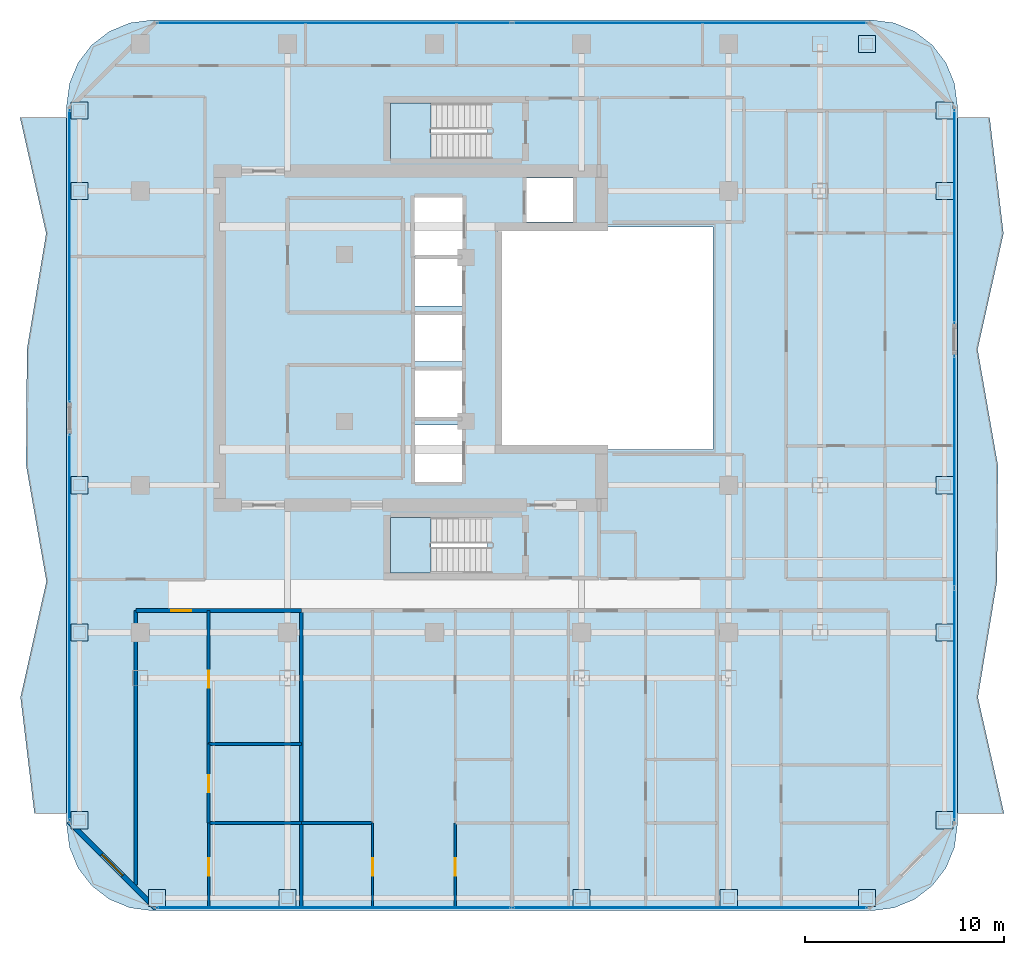
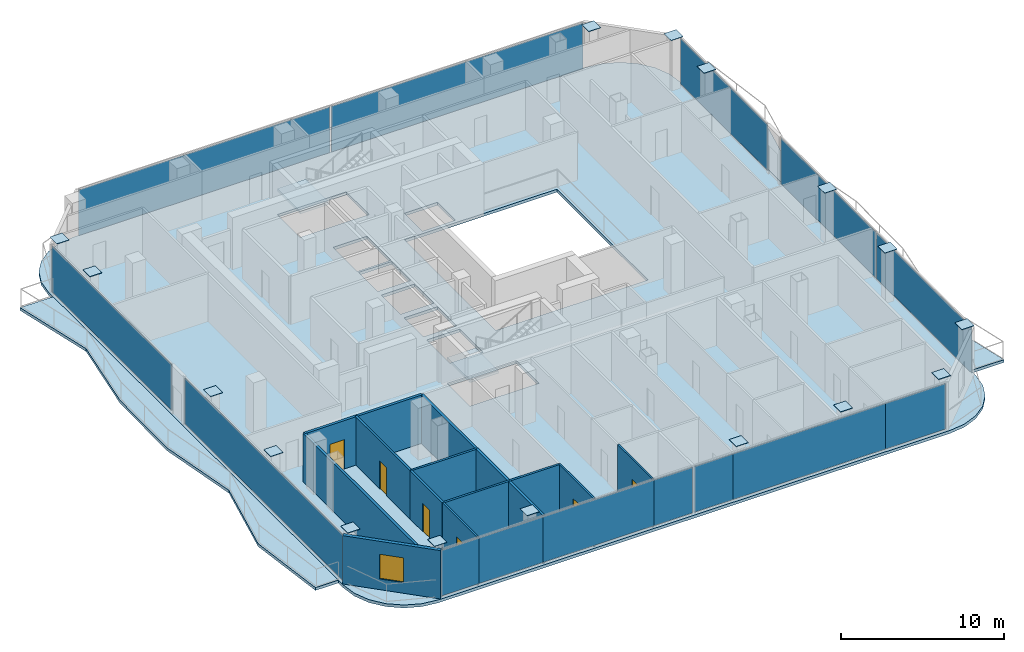
# One storey, part 19 of 26: 30 plates, 12 walls, 6 doors, 5 slabs, 1 window, 7 openings, 8 elements without a shape of their own.
"""IFC4 building model written with IfcOpenShell, lengths in metres."""

from ifc_helpers import new_model, si_unit, direction, frame, frame_2d, origin, origin_2d, place, context, subcontext, project, spatial, polyline, rectangle, outline, extrude, material, layer, layer_set, type_object, element, fill, aggregate, save


model = new_model("IFC4")

# Units and contexts
model_context = context("Model", 3, precision=1e-05, world=origin(), true_north=direction((0.0, 1.0)))
body_context = subcontext(model_context, "Body", "Model", "MODEL_VIEW")
ifc_project = project(units=[si_unit("LENGTHUNIT", "METRE"), si_unit("AREAUNIT", "SQUARE_METRE"), si_unit("VOLUMEUNIT", "CUBIC_METRE"), si_unit("PLANEANGLEUNIT", "RADIAN"), si_unit("MASSUNIT", "GRAM", prefix="KILO")], contexts=[model_context])

# Site, building, storey
site_placement = place(None, origin())
site = spatial("IfcSite", under=ifc_project, at=site_placement, CompositionType="ELEMENT")
building_placement = place(site_placement, origin())
building = spatial("IfcBuilding", under=site, at=building_placement, Name="Khorvyn Point Tower", CompositionType="ELEMENT")
storey_placement = place(building_placement, frame((0.0, 0.0, 250.800048828125)))
storey = spatial("IfcBuildingStorey", under=building, at=storey_placement, Name="L61", CompositionType="ELEMENT", Elevation=250.800048828125)

# Slabs
ifc_material_1 = material(Name="Concrete C35/45", Category="concrete")
ifc_layer_1 = layer(ifc_material_1, 0.219970703125)
ifc_layer_set_1 = layer_set([ifc_layer_1], Name="Concrete C35/45 Structural Floor Slab 220")
slab_type_1 = type_object("IfcSlabType", Name="Concrete C35/45 Structural Floor Slab 220", PredefinedType="FLOOR", material=ifc_layer_set_1)
slab_1_placement = place(storey_placement, frame((0.0, 0.0, -0.219970703125)))
element("IfcSlab", 1, at=slab_1_placement, inside=storey, type_object=slab_type_1, Name="L61 Main Structural Floor Slab", PredefinedType="FLOOR", context=body_context, shape_type="SweptSolid", body=[
    extrude(outline(polyline([(-14.199951171875, -28.800048828125), (-15.31298828125, -28.653564453125), (-16.35009765625, -28.223876953125), (-17.240478515625, -27.54052734375), (-17.923828125, -26.64990234375), (-18.353515625, -25.61279296875), (-18.5, -24.5), (-18.5, 11.699951171875), (-18.353515625, 12.81298828125), (-17.923828125, 13.85009765625), (-17.240478515625, 14.740478515625), (-16.35009765625, 15.423828125), (-15.31298828125, 15.853515625), (-14.199951171875, 16.0), (22.0, 16.0), (23.11279296875, 15.853515625), (24.14990234375, 15.423828125), (25.04052734375, 14.740478515625), (25.723876953125, 13.85009765625), (26.153564453125, 12.81298828125), (26.300048828125, 11.699951171875), (26.300048828125, -24.5), (26.153564453125, -25.61279296875), (25.723876953125, -26.64990234375), (25.04052734375, -27.54052734375), (24.14990234375, -28.223876953125), (23.11279296875, -28.653564453125), (22.0, -28.800048828125), (-14.199951171875, -28.800048828125)]), holes=[polyline([(2.679931640625, -11.820068359375), (2.679931640625, -9.02001953125), (-2.199951171875, -9.02001953125), (-2.199951171875, -11.820068359375), (2.679931640625, -11.820068359375)]), polyline([(1.375, -7.22509765625), (1.375, -4.375), (-0.97509765625, -4.375), (-0.97509765625, -7.22509765625), (1.375, -7.22509765625)]), polyline([(1.375, -3.97509765625), (1.375, -1.625), (-0.97509765625, -1.625), (-0.97509765625, -3.97509765625), (1.375, -3.97509765625)]), polyline([(1.375, -1.175048828125), (1.375, 1.175048828125), (-0.97509765625, 1.175048828125), (-0.97509765625, -1.175048828125), (1.375, -1.175048828125)]), polyline([(14.0, -5.60009765625), (14.0, 5.60009765625), (3.199951171875, 5.60009765625), (3.199951171875, -5.60009765625), (14.0, -5.60009765625)]), polyline([(1.375, 1.625), (1.375, 3.97509765625), (-0.97509765625, 3.97509765625), (-0.97509765625, 1.625), (1.375, 1.625)]), polyline([(1.39990234375, 4.125), (1.39990234375, 7.074951171875), (-1.0, 7.074951171875), (-1.0, 4.125), (1.39990234375, 4.125)]), polyline([(4.625, 5.85009765625), (6.97509765625, 5.85009765625), (6.97509765625, 8.054931640625), (4.625, 8.054931640625), (4.625, 5.85009765625)]), polyline([(-2.199951171875, 9.02001953125), (2.679931640625, 9.02001953125), (2.679931640625, 11.820068359375), (-2.199951171875, 11.820068359375), (-2.199951171875, 9.02001953125)])]), origin(), (0.0, 0.0, 1.0), 0.219970703125),
])
ifc_material_2 = material(Name="Concrete C40/50", Category="concrete")
ifc_layer_2 = layer(ifc_material_2, 0.2099609375)
ifc_layer_set_2 = layer_set([ifc_layer_2], Name="Concrete C40/50 Rippling Balcony Slab 210")
slab_type_2 = type_object("IfcSlabType", Name="Concrete C40/50 Rippling Balcony Slab 210", PredefinedType="USERDEFINED", material=ifc_layer_set_2)
slab_2_placement = place(storey_placement, frame((0.0, 0.0, -0.2099609375)))
element("IfcSlab", 2, at=slab_2_placement, inside=storey, type_object=slab_type_2, Name="L61 East Sinusoidal Rippling Balcony", ObjectType="BALCONY", PredefinedType="USERDEFINED", context=body_context, shape_type="SweptSolid", body=[
    extrude(outline(polyline([(26.300048828125, -23.89990234375), (28.6455078125, -23.89990234375), (27.3310546875, -18.066650390625), (28.294921875, -12.2333984375), (28.338134765625, -6.39990234375), (27.317138671875, -0.566650390625), (28.620361328125, 5.2666015625), (27.9228515625, 11.10009765625), (26.300048828125, 11.10009765625), (26.300048828125, -23.89990234375)])), origin(), (0.0, 0.0, 1.0), 0.2099609375),
])
slab_3_placement = place(storey_placement, frame((0.0, 0.0, -0.2099609375)))
element("IfcSlab", 3, at=slab_3_placement, inside=storey, type_object=slab_type_2, Name="L61 West Sinusoidal Rippling Balcony", ObjectType="BALCONY", PredefinedType="USERDEFINED", context=body_context, shape_type="SweptSolid", body=[
    extrude(outline(polyline([(-18.5, 11.10009765625), (-20.845458984375, 11.10009765625), (-19.531005859375, 5.2666015625), (-20.494873046875, -0.566650390625), (-20.5380859375, -6.39990234375), (-19.51708984375, -12.2333984375), (-20.8203125, -18.066650390625), (-20.122802734375, -23.89990234375), (-18.5, -23.89990234375), (-18.5, 11.10009765625)])), origin(), (0.0, 0.0, 1.0), 0.2099609375),
])

# Stair, slab
stair_type = type_object("IfcStairType", Name="Tower Concrete C40/50 Dogleg Exit Stair", PredefinedType="HALF_TURN_STAIR", material=ifc_material_2)
stair_1_placement = place(storey_placement, origin())
stair_1 = element("IfcStair", 4, at=stair_1_placement, inside=storey, type_object=stair_type, Name="L61 Tower Smokeproof Exit Stair South", PredefinedType="HALF_TURN_STAIR")
ifc_layer_3 = layer(ifc_material_2, 0.199951171875)
ifc_layer_set_3 = layer_set([ifc_layer_3], Name="Concrete C40/50 Stair Landing Slab 200")
slab_type_3 = type_object("IfcSlabType", Name="Concrete C40/50 Stair Landing Slab 200", PredefinedType="LANDING", material=ifc_layer_set_3)
slab_4_placement = place(storey_placement, frame((0.0, 0.0, 1.75)))
slab_4 = element("IfcSlab", 5, at=slab_4_placement, type_object=slab_type_3, Name="ST-01 landing 1", PredefinedType="LANDING", context=body_context, shape_type="SweptSolid", body=[
    extrude(outline(polyline([(-0.179931640625, -9.02001953125), (-2.199951171875, -9.02001953125), (-2.199951171875, -11.820068359375), (-0.179931640625, -11.820068359375), (-0.179931640625, -9.02001953125)])), origin(), (0.0, 0.0, 1.0), 0.199951171875),
])
aggregate(stair_1, [slab_4])

stair_2_placement = place(storey_placement, origin())
stair_2 = element("IfcStair", 6, at=stair_2_placement, inside=storey, type_object=stair_type, Name="L61 Tower Smokeproof Exit Stair North", PredefinedType="HALF_TURN_STAIR")
slab_5_placement = place(storey_placement, frame((0.0, 0.0, 1.75)))
slab_5 = element("IfcSlab", 7, at=slab_5_placement, type_object=slab_type_3, Name="ST-02 landing 1", PredefinedType="LANDING", context=body_context, shape_type="SweptSolid", body=[
    extrude(outline(polyline([(-0.179931640625, 11.820068359375), (-2.199951171875, 11.820068359375), (-2.199951171875, 9.02001953125), (-0.179931640625, 9.02001953125), (-0.179931640625, 11.820068359375)])), origin(), (0.0, 0.0, 1.0), 0.199951171875),
])
aggregate(stair_2, [slab_5])

# Plates
ifc_material_3 = material(Name="Steel S450", Category="steel")
ifc_layer_4 = layer(ifc_material_3, 0.031982421875)
ifc_layer_set_4 = layer_set([ifc_layer_4], Name="Steel S450 Exoskeleton End Cap Plate 32")
plate_type_1 = type_object("IfcPlateType", Name="Steel S450 Exoskeleton End Cap Plate 32", PredefinedType="USERDEFINED", material=ifc_layer_set_4)
for number, where, z_axis, x_axis, name in (
    (8, (-13.949951171875, -28.14990234375, 3.89404296875), (0.0, 0.0, 1.0), (1.0, 0.0, 0.0), "Plate"),
    (9, (21.75, -28.14990234375, 3.89404296875), (0.0, 0.0, 1.0), (1.0, 0.0, 0.0), "Plate"),
    (10, (21.75, 14.800048828125, 3.89404296875), (0.0, 0.0, 1.0), (1.0, 0.0, 0.0), "Plate"),
    (11, (-17.85009765625, -24.25, 3.89404296875), (0.0, 0.0, 1.0), (1.0, 0.0, 0.0), "Plate"),
    (12, (-17.85009765625, 11.449951171875, 3.89404296875), (0.0, 0.0, 1.0), (1.0, 0.0, 0.0), "Plate"),
    (13, (25.64990234375, -24.25, 3.89404296875), (0.0, 0.0, 1.0), (1.0, 0.0, 0.0), "Plate"),
    (14, (25.64990234375, 11.449951171875, 3.89404296875), (0.0, 0.0, 1.0), (1.0, 0.0, 0.0), "Plate"),
    (15, (-7.39990234375, -28.14990234375, 3.89404296875), (0.0, 0.0, 1.0), (1.0, 0.0, 0.0), "Plate"),
    (16, (7.39990234375, -28.14990234375, 3.89404296875), (0.0, 0.0, 1.0), (1.0, 0.0, 0.0), "Plate"),
    (17, (14.800048828125, -28.14990234375, 3.89404296875), (0.0, 0.0, 1.0), (1.0, 0.0, 0.0), "Plate"),
    (18, (-17.85009765625, -14.800048828125, 3.89404296875), (0.0, 0.0, 1.0), (1.0, 0.0, 0.0), "Plate"),
    (19, (25.64990234375, -14.800048828125, 3.89404296875), (0.0, 0.0, 1.0), (1.0, 0.0, 0.0), "Plate"),
    (20, (-17.85009765625, -7.39990234375, 3.89404296875), (0.0, 0.0, 1.0), (1.0, 0.0, 0.0), "Plate"),
    (21, (25.64990234375, -7.39990234375, 3.89404296875), (0.0, 0.0, 1.0), (1.0, 0.0, 0.0), "Plate"),
    (22, (-17.85009765625, 7.39990234375, 3.89404296875), (0.0, 0.0, 1.0), (1.0, 0.0, 0.0), "Plate"),
    (23, (25.64990234375, 7.39990234375, 3.89404296875), (0.0, 0.0, 1.0), (1.0, 0.0, 0.0), "Plate"),
):
    element("IfcPlate", number, at=place(storey_placement, frame(where, z_axis=z_axis, x_axis=x_axis)), inside=storey, type_object=plate_type_1, Name=name, ObjectType="GUSSET", PredefinedType="USERDEFINED", context=body_context, shape_type="SweptSolid", body=[
        extrude(rectangle(XDim=0.860107421875, YDim=0.860107421875, at=origin_2d()), origin(), (0.0, 0.0, 1.0), 0.031982421875),
    ])

# Curtain wall, plates
ifc_material_4 = material(Name="Anodised aluminium 6063-T6 and laminated Low-E glass", Category="aluminium")
ifc_layer_5 = layer(ifc_material_4, 0.18994140625)
ifc_layer_set_5 = layer_set([ifc_layer_5], Name="Stick-Built Acoustic Curtain Wall CW-SYS-03")
curtain_wall_type = type_object("IfcCurtainWallType", Name="Stick-Built Acoustic Curtain Wall CW-SYS-03", PredefinedType="NOTDEFINED", material=ifc_layer_set_5)
curtain_wall_1_placement = place(storey_placement, origin())
curtain_wall_1 = element("IfcCurtainWall", 24, at=curtain_wall_1_placement, inside=storey, type_object=curtain_wall_type, Name="Curtain Wall", PredefinedType="NOTDEFINED")
ifc_material_5 = material(Name="Laminated Low-E insulated glass", Category="glass")
ifc_layer_6 = layer(ifc_material_5, 0.028076171875)
ifc_layer_set_6 = layer_set([ifc_layer_6], Name="Tempered Low-E Vision Glazing Panel CW-GL28")
plate_type_2 = type_object("IfcPlateType", Name="Tempered Low-E Vision Glazing Panel CW-GL28", PredefinedType="CURTAIN_PANEL", material=ifc_layer_set_6)
plate_1_placement = place(storey_placement, frame((5.320068359375, -28.64990234375, 0.10009765625), z_axis=(0.0, 0.0, 1.0), x_axis=(-1.0, 0.0, 0.0)))
plate_1 = element("IfcPlate", 25, at=plate_1_placement, type_object=plate_type_2, Name="Panel", PredefinedType="CURTAIN_PANEL", context=body_context, shape_type="SweptSolid", body=[
    extrude(rectangle(XDim=2.73193359375, YDim=0.028076171875, at=origin_2d()), origin(), (0.0, 0.0, 1.0), 3.419921875),
])
plate_2_placement = place(storey_placement, frame((12.094482421875, -28.64990234375, 0.10009765625), z_axis=(0.0, 0.0, 1.0), x_axis=(-1.0, 0.0, 0.0)))
plate_2 = element("IfcPlate", 26, at=plate_2_placement, type_object=plate_type_2, Name="Panel", PredefinedType="CURTAIN_PANEL", context=body_context, shape_type="SweptSolid", body=[
    extrude(rectangle(XDim=10.801025390625, YDim=0.028076171875, at=origin_2d()), origin(), (0.0, 0.0, 1.0), 3.419921875),
])
plate_3_placement = place(storey_placement, frame((19.62451171875, -28.64990234375, 0.10009765625), z_axis=(0.0, 0.0, 1.0), x_axis=(-1.0, 0.0, 0.0)))
plate_3 = element("IfcPlate", 27, at=plate_3_placement, type_object=plate_type_2, Name="Panel", PredefinedType="CURTAIN_PANEL", context=body_context, shape_type="SweptSolid", body=[
    extrude(rectangle(XDim=4.242919921875, YDim=0.028076171875, at=origin_2d()), origin(), (0.0, 0.0, 1.0), 3.419921875),
])
plate_4_placement = place(storey_placement, frame((-12.62353515625, -28.64990234375, 0.10009765625), z_axis=(0.0, 0.0, 1.0), x_axis=(-1.0, 0.0, 0.0)))
plate_4 = element("IfcPlate", 28, at=plate_4_placement, type_object=plate_type_2, Name="Panel", PredefinedType="CURTAIN_PANEL", context=body_context, shape_type="SweptSolid", body=[
    extrude(rectangle(XDim=2.64501953125, YDim=0.028076171875, at=origin_2d()), origin(), (0.0, 0.0, 1.0), 3.419921875),
])
plate_5_placement = place(storey_placement, frame((-9.02587890625, -28.64990234375, 0.10009765625), z_axis=(0.0, 0.0, 1.0), x_axis=(-1.0, 0.0, 0.0)))
plate_5 = element("IfcPlate", 29, at=plate_5_placement, type_object=plate_type_2, Name="Panel", PredefinedType="CURTAIN_PANEL", context=body_context, shape_type="SweptSolid", body=[
    extrude(rectangle(XDim=4.533935546875, YDim=0.028076171875, at=origin_2d()), origin(), (0.0, 0.0, 1.0), 3.419921875),
])
plate_6_placement = place(storey_placement, frame((-2.822509765625, -28.64990234375, 0.10009765625), z_axis=(0.0, 0.0, 1.0), x_axis=(-1.0, 0.0, 0.0)))
plate_6 = element("IfcPlate", 30, at=plate_6_placement, type_object=plate_type_2, Name="Panel", PredefinedType="CURTAIN_PANEL", context=body_context, shape_type="SweptSolid", body=[
    extrude(rectangle(XDim=7.85693359375, YDim=0.028076171875, at=origin_2d()), origin(), (0.0, 0.0, 1.0), 3.419921875),
])
plate_7_placement = place(storey_placement, frame((2.47998046875, -28.64990234375, 0.10009765625), z_axis=(0.0, 0.0, 1.0), x_axis=(-1.0, 0.0, 0.0)))
plate_7 = element("IfcPlate", 31, at=plate_7_placement, type_object=plate_type_2, Name="Panel", PredefinedType="CURTAIN_PANEL", context=body_context, shape_type="SweptSolid", body=[
    extrude(rectangle(XDim=2.73193359375, YDim=0.028076171875, at=origin_2d()), origin(), (0.0, 0.0, 1.0), 3.419921875),
])
aggregate(curtain_wall_1, [plate_1, plate_2, plate_3, plate_4, plate_5, plate_6, plate_7])

curtain_wall_2_placement = place(storey_placement, origin())
curtain_wall_2 = element("IfcCurtainWall", 32, at=curtain_wall_2_placement, inside=storey, type_object=curtain_wall_type, Name="Curtain Wall", PredefinedType="NOTDEFINED")
plate_8_placement = place(storey_placement, frame((-5.050048828125, 15.85009765625, 0.10009765625), z_axis=(0.0, 0.0, 1.0), x_axis=(1.0, 0.0, 0.0)))
plate_8 = element("IfcPlate", 33, at=plate_8_placement, type_object=plate_type_2, Name="Panel", PredefinedType="CURTAIN_PANEL", context=body_context, shape_type="SweptSolid", body=[
    extrude(rectangle(XDim=17.800048828125, YDim=0.028076171875, at=origin_2d()), origin(), (0.0, 0.0, 1.0), 3.419921875),
])
plate_9_placement = place(storey_placement, frame((12.85009765625, 15.85009765625, 0.10009765625), z_axis=(0.0, 0.0, 1.0), x_axis=(1.0, 0.0, 0.0)))
plate_9 = element("IfcPlate", 34, at=plate_9_placement, type_object=plate_type_2, Name="Panel", PredefinedType="CURTAIN_PANEL", context=body_context, shape_type="SweptSolid", body=[
    extrude(rectangle(XDim=17.800048828125, YDim=0.028076171875, at=origin_2d()), origin(), (0.0, 0.0, 1.0), 3.419921875),
])
aggregate(curtain_wall_2, [plate_8, plate_9])

# Curtain wall, plate
curtain_wall_3_placement = place(storey_placement, origin())
curtain_wall_3 = element("IfcCurtainWall", 35, at=curtain_wall_3_placement, inside=storey, type_object=curtain_wall_type, Name="Curtain Wall", PredefinedType="NOTDEFINED")
plate_10_placement = place(storey_placement, frame((-18.35009765625, -14.550048828125, 0.10009765625), z_axis=(0.0, 0.0, 1.0), x_axis=(0.0, 1.0, 0.0)))
plate_10 = element("IfcPlate", 36, at=plate_10_placement, type_object=plate_type_2, Name="Panel", PredefinedType="CURTAIN_PANEL", context=body_context, shape_type="SweptSolid", body=[
    extrude(rectangle(XDim=19.39990234375, YDim=0.028076171875, at=origin_2d()), origin(), (0.0, 0.0, 1.0), 3.419921875),
])
aggregate(curtain_wall_3, [plate_10])

curtain_wall_4_placement = place(storey_placement, origin())
curtain_wall_4 = element("IfcCurtainWall", 37, at=curtain_wall_4_placement, inside=storey, type_object=curtain_wall_type, Name="Curtain Wall", PredefinedType="NOTDEFINED")
plate_11_placement = place(storey_placement, frame((-18.35009765625, 4.1201171875, 0.10009765625), z_axis=(0.0, 0.0, 1.0), x_axis=(0.0, 1.0, 0.0)))
plate_11 = element("IfcPlate", 38, at=plate_11_placement, type_object=plate_type_2, Name="Panel", PredefinedType="CURTAIN_PANEL", context=body_context, shape_type="SweptSolid", body=[
    extrude(rectangle(XDim=14.659912109375, YDim=0.028076171875, at=origin_2d()), origin(), (0.0, 0.0, 1.0), 3.419921875),
])
aggregate(curtain_wall_4, [plate_11])

curtain_wall_5_placement = place(storey_placement, origin())
curtain_wall_5 = element("IfcCurtainWall", 39, at=curtain_wall_5_placement, inside=storey, type_object=curtain_wall_type, Name="Curtain Wall", PredefinedType="NOTDEFINED")
plate_12_placement = place(storey_placement, frame((26.14990234375, 6.1015625, 0.10009765625), z_axis=(0.0, 0.0, 1.0), x_axis=(0.0, -1.0, 0.0)))
plate_12 = element("IfcPlate", 40, at=plate_12_placement, type_object=plate_type_2, Name="Panel", PredefinedType="CURTAIN_PANEL", context=body_context, shape_type="SweptSolid", body=[
    extrude(rectangle(XDim=10.697021484375, YDim=0.028076171875, at=origin_2d()), origin(), (0.0, 0.0, 1.0), 3.419921875),
])
aggregate(curtain_wall_5, [plate_12])

# Curtain wall, plates
curtain_wall_6_placement = place(storey_placement, origin())
curtain_wall_6 = element("IfcCurtainWall", 41, at=curtain_wall_6_placement, inside=storey, type_object=curtain_wall_type, Name="Curtain Wall", PredefinedType="NOTDEFINED")
plate_13_placement = place(storey_placement, frame((26.14990234375, -6.70263671875, 0.10009765625), z_axis=(0.0, 0.0, 1.0), x_axis=(0.0, -1.0, 0.0)))
plate_13 = element("IfcPlate", 42, at=plate_13_placement, type_object=plate_type_2, Name="Panel", PredefinedType="CURTAIN_PANEL", context=body_context, shape_type="SweptSolid", body=[
    extrude(rectangle(XDim=11.631591796875, YDim=0.028076171875, at=origin_2d()), origin(), (0.0, 0.0, 1.0), 3.419921875),
])
plate_14_placement = place(storey_placement, frame((26.14990234375, -18.434326171875, 0.10009765625), z_axis=(0.0, 0.0, 1.0), x_axis=(0.0, -1.0, 0.0)))
plate_14 = element("IfcPlate", 43, at=plate_14_placement, type_object=plate_type_2, Name="Panel", PredefinedType="CURTAIN_PANEL", context=body_context, shape_type="SweptSolid", body=[
    extrude(rectangle(XDim=11.631591796875, YDim=0.028076171875, at=origin_2d()), origin(), (0.0, 0.0, 1.0), 3.419921875),
])
aggregate(curtain_wall_6, [plate_13, plate_14])

# Wall, opening, door
ifc_material_6 = material(Name="Double acoustic gypsum on twin steel stud", Category="steel")
ifc_layer_7 = layer(ifc_material_6, 0.179931640625)
ifc_layer_set_7 = layer_set([ifc_layer_7], Name="Acoustic Double-Stud Apartment Demising Wall 180")
wall_type_1 = type_object("IfcWallType", Name="Acoustic Double-Stud Apartment Demising Wall 180", PredefinedType="PARTITIONING", material=ifc_layer_set_7)
wall_1_placement = place(storey_placement, frame((-15.02001953125, -13.699951171875, 0.0), z_axis=(0.0, 0.0, 1.0), x_axis=(1.0, 0.0, 0.0)))
wall_1 = element("IfcWall", 44, at=wall_1_placement, inside=storey, type_object=wall_type_1, Name="Wall", PredefinedType="PARTITIONING", context=body_context, shape_type="SweptSolid", body=[
    extrude(rectangle(XDim=8.324951171875, YDim=0.179931640625, at=frame_2d((4.16259765625, 0.0))), origin(), (0.0, 0.0, 1.0), 3.619873046875),
])
opening_1_placement = place(wall_1_placement, frame((1.776611328125, 0.0, 0.0)))
opening_1 = element("IfcOpeningElement", 45, at=opening_1_placement, cuts=wall_1, Name="Opening ID-AP60", PredefinedType="OPENING", context=body_context, shape_type="SweptSolid", body=[
    extrude(rectangle(XDim=1.0, YDim=2.199951171875, at=frame_2d((0.5, 1.10009765625))), frame((0.0, 0.099853515625, 0.0), z_axis=(0.0, -1.0, 0.0), x_axis=(1.0, 0.0, 0.0)), (0.0, 0.0, 1.0), 0.199951171875),
])
ifc_material_7 = material(Name="Engineered hardwood fire-rated leaf", Category="wood")
door_type_1 = type_object("IfcDoorType", Name="Acoustic Solid-Core Timber Apartment Entrance Door 1000x2200", OperationType="NOTDEFINED", PredefinedType="DOOR", material=ifc_material_7)
door_1_placement = place(opening_1_placement, origin())
door_1 = element("IfcDoor", 46, at=door_1_placement, inside=storey, type_object=door_type_1, Name="Door", OperationType="SINGLE_SWING_RIGHT", OverallHeight=2.199951171875, OverallWidth=1.0, PredefinedType="DOOR", context=body_context, shape_type="SweptSolid", body=[
    extrude(rectangle(XDim=1.0, YDim=2.199951171875, at=frame_2d((0.5, 1.10009765625))), frame((0.0, 0.02490234375, 0.0), z_axis=(0.0, -1.0, 0.0), x_axis=(1.0, 0.0, 0.0)), (0.0, 0.0, 1.0), 0.050048828125),
])
fill(opening_1, door_1)

# Walls
wall_2_placement = place(storey_placement, frame((-6.695068359375, -28.6298828125, 0.0), z_axis=(0.0, 0.0, 1.0), x_axis=(0.0, 1.0, 0.0)))
element("IfcWall", 47, at=wall_2_placement, inside=storey, type_object=wall_type_1, Name="Wall", PredefinedType="PARTITIONING", context=body_context, shape_type="SweptSolid", body=[
    extrude(rectangle(XDim=14.929931640625, YDim=0.179931640625, at=frame_2d((7.46484375, 0.0))), origin(), (0.0, 0.0, 1.0), 3.619873046875),
])
wall_3_placement = place(storey_placement, frame((-15.02001953125, -27.510009765625, 0.0), z_axis=(0.0, 0.0, 1.0), x_axis=(0.0, 1.0, 0.0)))
element("IfcWall", 48, at=wall_3_placement, inside=storey, type_object=wall_type_1, Name="Wall", PredefinedType="PARTITIONING", context=body_context, shape_type="SweptSolid", body=[
    extrude(rectangle(XDim=13.81005859375, YDim=0.179931640625, at=frame_2d((6.905029296875, 0.0))), origin(), (0.0, 0.0, 1.0), 3.619873046875),
])

# Wall, opening, window
ifc_material_8 = material(Name="Pale anodised aluminium rainscreen on steel stud", Category="steel")
ifc_layer_8 = layer(ifc_material_8, 0.239990234375)
ifc_layer_set_8 = layer_set([ifc_layer_8], Name="Anodised Aluminium Insulated Corner Spandrel Wall 240")
wall_type_2 = type_object("IfcWallType", Name="Anodised Aluminium Insulated Corner Spandrel Wall 240", PredefinedType="SOLIDWALL", material=ifc_layer_set_8)
wall_4_placement = place(storey_placement, frame((-14.007568359375, -28.6923828125, 0.0), z_axis=(0.0, 0.0, 1.0), x_axis=(-0.707106781187, 0.707106781187, 0.0)))
wall_4 = element("IfcWall", 49, at=wall_4_placement, inside=storey, type_object=wall_type_2, Name="L61 Rounded Corner Wall SW", PredefinedType="SOLIDWALL", context=body_context, shape_type="SweptSolid", body=[
    extrude(rectangle(XDim=6.200927734375, YDim=0.239990234375, at=frame_2d((3.1005859375, 0.0))), origin(), (0.0, 0.0, 1.0), 3.619873046875),
])
opening_2_placement = place(wall_4_placement, frame((2.3505859375, 0.0, 0.800048828125)))
opening_2 = element("IfcOpeningElement", 50, at=opening_2_placement, cuts=wall_4, Name="Opening WN-1518", PredefinedType="OPENING", context=body_context, shape_type="SweptSolid", body=[
    extrude(rectangle(XDim=1.5, YDim=1.85009765625, at=frame_2d((0.75, 0.925048828125))), frame((0.0, 0.1298828125, 0.0), z_axis=(0.0, -1.0, 0.0), x_axis=(1.0, 0.0, 0.0)), (0.0, 0.0, 1.0), 0.260009765625),
])
window_type = type_object("IfcWindowType", Name="Anodised Aluminium Rounded-Corner Panoramic Window 1500x1850", PartitioningType="SINGLE_PANEL", PredefinedType="WINDOW", material=ifc_material_4)
window_placement = place(opening_2_placement, origin())
window = element("IfcWindow", 51, at=window_placement, inside=storey, type_object=window_type, Name="L61 Corner Panoramic Window SW", OverallHeight=1.85009765625, OverallWidth=1.5, PartitioningType="SINGLE_PANEL", PredefinedType="WINDOW", context=body_context, shape_type="SweptSolid", body=[
    extrude(rectangle(XDim=1.5, YDim=1.85009765625, at=frame_2d((0.75, 0.925048828125))), frame((0.0, 0.030029296875, 0.0), z_axis=(0.0, -1.0, 0.0), x_axis=(1.0, 0.0, 0.0)), (0.0, 0.0, 1.0), 0.06005859375),
])
fill(opening_2, window)

# Wall, opening, door
ifc_material_9 = material(Name="Gypsum plasterboard on steel stud", Category="steel")
ifc_layer_9 = layer(ifc_material_9, 0.1201171875)
ifc_layer_set_9 = layer_set([ifc_layer_9], Name="Gypsum Acoustic Stud Room Partition Wall 120")
wall_type_3 = type_object("IfcWallType", Name="Gypsum Acoustic Stud Room Partition Wall 120", PredefinedType="PARTITIONING", material=ifc_layer_set_9)
wall_5_placement = place(storey_placement, frame((-11.35693359375, -28.6298828125, 0.0), z_axis=(0.0, 0.0, 1.0), x_axis=(0.0, 1.0, 0.0)))
wall_5 = element("IfcWall", 52, at=wall_5_placement, inside=storey, type_object=wall_type_3, Name="Wall", PredefinedType="PARTITIONING", context=body_context, shape_type="SweptSolid", body=[
    extrude(rectangle(XDim=4.239990234375, YDim=0.1201171875, at=frame_2d((2.1201171875, 0.0))), origin(), (0.0, 0.0, 1.0), 3.619873046875),
])
opening_3_placement = place(wall_5_placement, frame((1.581298828125, 0.0, 0.0)))
opening_3 = element("IfcOpeningElement", 53, at=opening_3_placement, cuts=wall_5, Name="Opening ID-RM90", PredefinedType="OPENING", context=body_context, shape_type="SweptSolid", body=[
    extrude(rectangle(XDim=0.89990234375, YDim=2.10009765625, at=frame_2d((0.449951171875, 1.050048828125))), frame((0.0, 0.070068359375, 0.0), z_axis=(0.0, -1.0, 0.0), x_axis=(1.0, 0.0, 0.0)), (0.0, 0.0, 1.0), 0.14013671875),
])
ifc_material_10 = material(Name="Engineered oak veneer timber", Category="wood")
door_type_2 = type_object("IfcDoorType", Name="Flush Engineered Timber Room Door 900x2100", OperationType="NOTDEFINED", PredefinedType="DOOR", material=ifc_material_10)
door_2_placement = place(opening_3_placement, origin())
door_2 = element("IfcDoor", 54, at=door_2_placement, inside=storey, type_object=door_type_2, Name="Door", OperationType="SINGLE_SWING_LEFT", OverallHeight=2.10009765625, OverallWidth=0.89990234375, PredefinedType="DOOR", context=body_context, shape_type="SweptSolid", body=[
    extrude(rectangle(XDim=0.89990234375, YDim=2.10009765625, at=frame_2d((0.449951171875, 1.050048828125))), frame((0.0, 0.02490234375, 0.0), z_axis=(0.0, -1.0, 0.0), x_axis=(1.0, 0.0, 0.0)), (0.0, 0.0, 1.0), 0.050048828125),
])
fill(opening_3, door_2)

wall_6_placement = place(storey_placement, frame((-3.114013671875, -28.6298828125, 0.0), z_axis=(0.0, 0.0, 1.0), x_axis=(0.0, 1.0, 0.0)))
wall_6 = element("IfcWall", 55, at=wall_6_placement, inside=storey, type_object=wall_type_3, Name="Wall", PredefinedType="PARTITIONING", context=body_context, shape_type="SweptSolid", body=[
    extrude(rectangle(XDim=4.239990234375, YDim=0.1201171875, at=frame_2d((2.1201171875, 0.0))), origin(), (0.0, 0.0, 1.0), 3.619873046875),
])
opening_4_placement = place(wall_6_placement, frame((1.581298828125, 0.0, 0.0)))
opening_4 = element("IfcOpeningElement", 56, at=opening_4_placement, cuts=wall_6, Name="Opening ID-RM90", PredefinedType="OPENING", context=body_context, shape_type="SweptSolid", body=[
    extrude(rectangle(XDim=0.89990234375, YDim=2.10009765625, at=frame_2d((0.449951171875, 1.050048828125))), frame((0.0, 0.070068359375, 0.0), z_axis=(0.0, -1.0, 0.0), x_axis=(1.0, 0.0, 0.0)), (0.0, 0.0, 1.0), 0.14013671875),
])
door_3_placement = place(opening_4_placement, origin())
door_3 = element("IfcDoor", 57, at=door_3_placement, inside=storey, type_object=door_type_2, Name="Door", OperationType="SINGLE_SWING_RIGHT", OverallHeight=2.10009765625, OverallWidth=0.89990234375, PredefinedType="DOOR", context=body_context, shape_type="SweptSolid", body=[
    extrude(rectangle(XDim=0.89990234375, YDim=2.10009765625, at=frame_2d((0.449951171875, 1.050048828125))), frame((0.0, 0.02490234375, 0.0), z_axis=(0.0, -1.0, 0.0), x_axis=(1.0, 0.0, 0.0)), (0.0, 0.0, 1.0), 0.050048828125),
])
fill(opening_4, door_3)

wall_7_placement = place(storey_placement, frame((1.050048828125, -28.6298828125, 0.0), z_axis=(0.0, 0.0, 1.0), x_axis=(0.0, 1.0, 0.0)))
wall_7 = element("IfcWall", 58, at=wall_7_placement, inside=storey, type_object=wall_type_3, Name="Wall", PredefinedType="PARTITIONING", context=body_context, shape_type="SweptSolid", body=[
    extrude(rectangle(XDim=4.239990234375, YDim=0.1201171875, at=frame_2d((2.1201171875, 0.0))), origin(), (0.0, 0.0, 1.0), 3.619873046875),
])
opening_5_placement = place(wall_7_placement, frame((1.581298828125, 0.0, 0.0)))
opening_5 = element("IfcOpeningElement", 59, at=opening_5_placement, cuts=wall_7, Name="Opening ID-RM90", PredefinedType="OPENING", context=body_context, shape_type="SweptSolid", body=[
    extrude(rectangle(XDim=0.89990234375, YDim=2.10009765625, at=frame_2d((0.449951171875, 1.050048828125))), frame((0.0, 0.070068359375, 0.0), z_axis=(0.0, -1.0, 0.0), x_axis=(1.0, 0.0, 0.0)), (0.0, 0.0, 1.0), 0.14013671875),
])
door_4_placement = place(opening_5_placement, origin())
door_4 = element("IfcDoor", 60, at=door_4_placement, inside=storey, type_object=door_type_2, Name="Door", OperationType="SINGLE_SWING_LEFT", OverallHeight=2.10009765625, OverallWidth=0.89990234375, PredefinedType="DOOR", context=body_context, shape_type="SweptSolid", body=[
    extrude(rectangle(XDim=0.89990234375, YDim=2.10009765625, at=frame_2d((0.449951171875, 1.050048828125))), frame((0.0, 0.02490234375, 0.0), z_axis=(0.0, -1.0, 0.0), x_axis=(1.0, 0.0, 0.0)), (0.0, 0.0, 1.0), 0.050048828125),
])
fill(opening_5, door_4)

ifc_material_11 = material(Name="Moisture-resistant gypsum and cement board", Category="gypsum")
ifc_layer_10 = layer(ifc_material_11, 0.14990234375)
ifc_layer_set_10 = layer_set([ifc_layer_10], Name="Moisture-Resistant Wet-Room Partition Wall 150")
wall_type_4 = type_object("IfcWallType", Name="Moisture-Resistant Wet-Room Partition Wall 150", PredefinedType="PARTITIONING", material=ifc_layer_set_10)
wall_8_placement = place(storey_placement, frame((-11.35693359375, -20.422119140625, 0.0), z_axis=(0.0, 0.0, 1.0), x_axis=(0.0, 1.0, 0.0)))
wall_8 = element("IfcWall", 61, at=wall_8_placement, inside=storey, type_object=wall_type_4, Name="Wall", PredefinedType="PARTITIONING", context=body_context, shape_type="SweptSolid", body=[
    extrude(rectangle(XDim=6.72216796875, YDim=0.14990234375, at=frame_2d((3.361083984375, 0.0))), origin(), (0.0, 0.0, 1.0), 3.619873046875),
])
opening_6_placement = place(wall_8_placement, frame((2.846435546875, 0.0, 0.0)))
opening_6 = element("IfcOpeningElement", 62, at=opening_6_placement, cuts=wall_8, Name="Opening ID-WC85", PredefinedType="OPENING", context=body_context, shape_type="SweptSolid", body=[
    extrude(rectangle(XDim=0.85009765625, YDim=2.10009765625, at=frame_2d((0.425048828125, 1.050048828125))), frame((0.0, 0.0849609375, 0.0), z_axis=(0.0, -1.0, 0.0), x_axis=(1.0, 0.0, 0.0)), (0.0, 0.0, 1.0), 0.169921875),
])
ifc_material_12 = material(Name="High-pressure laminate on moisture-resistant core", Category="wood")
door_type_3 = type_object("IfcDoorType", Name="Moisture-Resistant Accessible Washroom Door 850x2100", OperationType="NOTDEFINED", PredefinedType="DOOR", material=ifc_material_12)
door_5_placement = place(opening_6_placement, origin())
door_5 = element("IfcDoor", 63, at=door_5_placement, inside=storey, type_object=door_type_3, Name="Door", OperationType="SINGLE_SWING_LEFT", OverallHeight=2.10009765625, OverallWidth=0.85009765625, PredefinedType="DOOR", context=body_context, shape_type="SweptSolid", body=[
    extrude(rectangle(XDim=0.85009765625, YDim=2.10009765625, at=frame_2d((0.425048828125, 1.050048828125))), frame((0.0, 0.02490234375, 0.0), z_axis=(0.0, -1.0, 0.0), x_axis=(1.0, 0.0, 0.0)), (0.0, 0.0, 1.0), 0.050048828125),
])
fill(opening_6, door_5)

wall_9_placement = place(storey_placement, frame((-11.35693359375, -24.389892578125, 0.0), z_axis=(0.0, 0.0, 1.0), x_axis=(0.0, 1.0, 0.0)))
wall_9 = element("IfcWall", 64, at=wall_9_placement, inside=storey, type_object=wall_type_4, Name="Wall", PredefinedType="PARTITIONING", context=body_context, shape_type="SweptSolid", body=[
    extrude(rectangle(XDim=3.9677734375, YDim=0.14990234375, at=frame_2d((1.98388671875, 0.0))), origin(), (0.0, 0.0, 1.0), 3.619873046875),
])
opening_7_placement = place(wall_9_placement, frame((1.55908203125, 0.0, 0.0)))
opening_7 = element("IfcOpeningElement", 65, at=opening_7_placement, cuts=wall_9, Name="Opening ID-WC85", PredefinedType="OPENING", context=body_context, shape_type="SweptSolid", body=[
    extrude(rectangle(XDim=0.85009765625, YDim=2.10009765625, at=frame_2d((0.425048828125, 1.050048828125))), frame((0.0, 0.0849609375, 0.0), z_axis=(0.0, -1.0, 0.0), x_axis=(1.0, 0.0, 0.0)), (0.0, 0.0, 1.0), 0.169921875),
])
door_6_placement = place(opening_7_placement, origin())
door_6 = element("IfcDoor", 66, at=door_6_placement, inside=storey, type_object=door_type_3, Name="Door", OperationType="SINGLE_SWING_RIGHT", OverallHeight=2.10009765625, OverallWidth=0.85009765625, PredefinedType="DOOR", context=body_context, shape_type="SweptSolid", body=[
    extrude(rectangle(XDim=0.85009765625, YDim=2.10009765625, at=frame_2d((0.425048828125, 1.050048828125))), frame((0.0, 0.02490234375, 0.0), z_axis=(0.0, -1.0, 0.0), x_axis=(1.0, 0.0, 0.0)), (0.0, 0.0, 1.0), 0.050048828125),
])
fill(opening_7, door_6)

# Walls
for number, where, z_axis, x_axis, name in (
    (67, (-11.35693359375, -20.422119140625, 0.0), (0.0, 0.0, 1.0), (1.0, 0.0, 0.0), "Wall"),
    (68, (-11.35693359375, -24.389892578125, 0.0), (0.0, 0.0, 1.0), (1.0, 0.0, 0.0), "Wall"),
):
    element("IfcWall", number, at=place(storey_placement, frame(where, z_axis=z_axis, x_axis=x_axis)), inside=storey, type_object=wall_type_4, Name=name, PredefinedType="PARTITIONING", context=body_context, shape_type="SweptSolid", body=[
        extrude(rectangle(XDim=4.661865234375, YDim=0.14990234375, at=frame_2d((2.3310546875, 0.0))), origin(), (0.0, 0.0, 1.0), 3.619873046875),
    ])
wall_10_placement = place(storey_placement, frame((-6.695068359375, -24.389892578125, 0.0), z_axis=(0.0, 0.0, 1.0), x_axis=(1.0, 0.0, 0.0)))
element("IfcWall", 69, at=wall_10_placement, inside=storey, type_object=wall_type_4, Name="Wall", PredefinedType="PARTITIONING", context=body_context, shape_type="SweptSolid", body=[
    extrude(rectangle(XDim=3.5810546875, YDim=0.14990234375, at=frame_2d((1.79052734375, 0.0))), origin(), (0.0, 0.0, 1.0), 3.619873046875),
])

save(model, "model.ifc")
